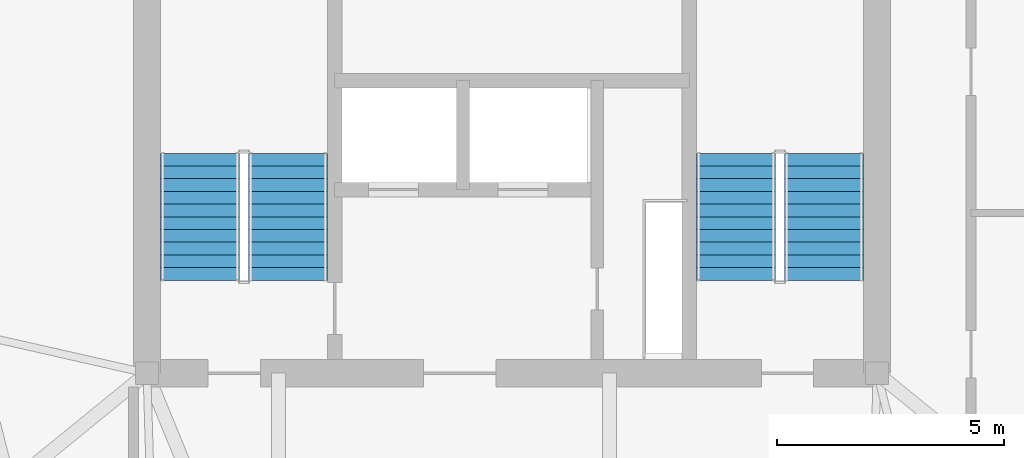
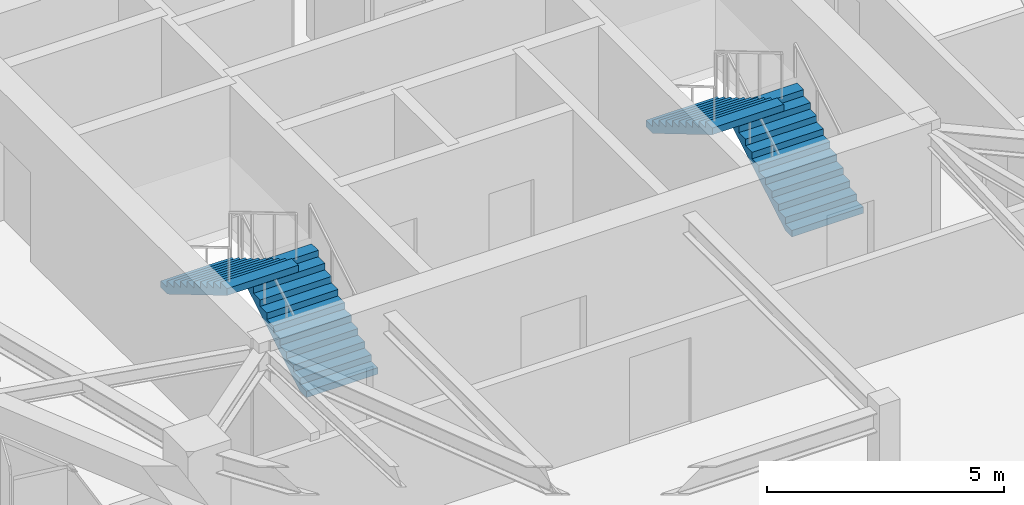
# One storey, part 10 of 11: 4 stair flights, 2 elements without a shape of their own.
"""IFC4 building model written with IfcOpenShell, lengths in metres."""

from ifc_helpers import new_model, si_unit, direction, frame, origin, place, context, subcontext, project, spatial, polyline, outline, extrude, material, type_object, element, aggregate, save


model = new_model("IFC4")

# Units and contexts
model_context = context("Model", 3, precision=1e-05, world=origin(), true_north=direction((0.0, 1.0)))
body_context = subcontext(model_context, "Body", "Model", "MODEL_VIEW")
ifc_project = project(units=[si_unit("LENGTHUNIT", "METRE"), si_unit("AREAUNIT", "SQUARE_METRE"), si_unit("VOLUMEUNIT", "CUBIC_METRE"), si_unit("PLANEANGLEUNIT", "RADIAN"), si_unit("MASSUNIT", "GRAM", prefix="KILO")], contexts=[model_context])

# Site, building, storey
site_placement = place(None, origin())
site = spatial("IfcSite", under=ifc_project, at=site_placement, CompositionType="ELEMENT")
building_placement = place(site_placement, origin())
building = spatial("IfcBuilding", under=site, at=building_placement, Name="Talyreon Biosciences Tower", CompositionType="ELEMENT")
storey_placement = place(building_placement, frame((0.0, 0.0, 283.800048828125)))
storey = spatial("IfcBuildingStorey", under=building, at=storey_placement, Name="L75", CompositionType="ELEMENT", Elevation=283.800048828125)

# Stair, stair flights
ifc_material = material(Name="Concrete C40/50", Category="concrete")
stair_type = type_object("IfcStairType", Name="DoglegEscapeStair_3650", PredefinedType="HALF_TURN_STAIR", material=ifc_material)
stair_1_placement = place(storey_placement, origin())
stair_1 = element("IfcStair", 1, at=stair_1_placement, inside=storey, type_object=stair_type, Name="L75 Core Escape Stair 1", PredefinedType="HALF_TURN_STAIR")
stair_flight_type = type_object("IfcStairFlightType", Name="PrecastStairFlight_3650", PredefinedType="STRAIGHT", material=ifc_material)
stair_flight_1_placement = place(storey_placement, frame((61.06005859375, 63.39990234375, 0.0), z_axis=(0.0, 0.0, 1.0), x_axis=(0.0, 1.0, 0.0)))
stair_flight_1 = element("IfcStairFlight", 2, at=stair_flight_1_placement, type_object=stair_flight_type, Name="ST-1 flight 1", NumberOfRisers=11, NumberOfTreads=10, PredefinedType="STRAIGHT", RiserHeight=0.165909091, TreadLength=0.28, context=body_context, shape_type="SweptSolid", body=[
    extrude(outline(polyline([(0.0, 0.0), (0.0, 0.166015625), (0.280029296875, 0.166015625), (0.280029296875, 0.331787109375), (0.56005859375, 0.331787109375), (0.56005859375, 0.497802734375), (0.840087890625, 0.497802734375), (0.840087890625, 0.66357421875), (1.1201171875, 0.66357421875), (1.1201171875, 0.82958984375), (1.39990234375, 0.82958984375), (1.39990234375, 0.995361328125), (1.679931640625, 0.995361328125), (1.679931640625, 1.161376953125), (1.9599609375, 1.161376953125), (1.9599609375, 1.327392578125), (2.239990234375, 1.327392578125), (2.239990234375, 1.4931640625), (2.52001953125, 1.4931640625), (2.52001953125, 1.6591796875), (2.800048828125, 1.6591796875), (2.800048828125, 1.824951171875), (2.800048828125, 1.48486328125), (0.2939453125, 0.0), (0.0, 0.0)])), frame((0.0, 0.8701171875, 0.0), z_axis=(0.0, -1.0, 0.0), x_axis=(1.0, 0.0, 0.0)), (0.0, 0.0, 1.0), 1.739990234375),
])
stair_flight_2_placement = place(storey_placement, frame((59.1201171875, 66.199951171875, 1.824951171875), z_axis=(0.0, 0.0, 1.0), x_axis=(0.0, -1.0, 0.0)))
stair_flight_2 = element("IfcStairFlight", 3, at=stair_flight_2_placement, type_object=stair_flight_type, Name="ST-1 flight 2", NumberOfRisers=11, NumberOfTreads=10, PredefinedType="STRAIGHT", RiserHeight=0.165909091, TreadLength=0.28, context=body_context, shape_type="SweptSolid", body=[
    extrude(outline(polyline([(0.0, 0.0), (0.0, 0.166015625), (0.280029296875, 0.166015625), (0.280029296875, 0.331787109375), (0.56005859375, 0.331787109375), (0.56005859375, 0.497802734375), (0.840087890625, 0.497802734375), (0.840087890625, 0.66357421875), (1.1201171875, 0.66357421875), (1.1201171875, 0.82958984375), (1.39990234375, 0.82958984375), (1.39990234375, 0.995361328125), (1.679931640625, 0.995361328125), (1.679931640625, 1.161376953125), (1.9599609375, 1.161376953125), (1.9599609375, 1.327392578125), (2.239990234375, 1.327392578125), (2.239990234375, 1.4931640625), (2.52001953125, 1.4931640625), (2.52001953125, 1.6591796875), (2.800048828125, 1.6591796875), (2.800048828125, 1.824951171875), (2.800048828125, 1.48486328125), (0.2939453125, 0.0), (0.0, 0.0)])), frame((0.0, 0.8701171875, 0.0), z_axis=(0.0, -1.0, 0.0), x_axis=(1.0, 0.0, 0.0)), (0.0, 0.0, 1.0), 1.739990234375),
])
aggregate(stair_1, [stair_flight_1, stair_flight_2])

stair_2_placement = place(storey_placement, origin())
stair_2 = element("IfcStair", 4, at=stair_2_placement, inside=storey, type_object=stair_type, Name="L75 Core Escape Stair 2", PredefinedType="HALF_TURN_STAIR")
stair_flight_3_placement = place(storey_placement, frame((72.8798828125, 63.39990234375, 0.0), z_axis=(0.0, 0.0, 1.0), x_axis=(0.0, 1.0, 0.0)))
stair_flight_3 = element("IfcStairFlight", 5, at=stair_flight_3_placement, type_object=stair_flight_type, Name="ST-2 flight 1", NumberOfRisers=11, NumberOfTreads=10, PredefinedType="STRAIGHT", RiserHeight=0.165909091, TreadLength=0.28, context=body_context, shape_type="SweptSolid", body=[
    extrude(outline(polyline([(0.0, 0.0), (0.0, 0.166015625), (0.280029296875, 0.166015625), (0.280029296875, 0.331787109375), (0.56005859375, 0.331787109375), (0.56005859375, 0.497802734375), (0.840087890625, 0.497802734375), (0.840087890625, 0.66357421875), (1.1201171875, 0.66357421875), (1.1201171875, 0.82958984375), (1.39990234375, 0.82958984375), (1.39990234375, 0.995361328125), (1.679931640625, 0.995361328125), (1.679931640625, 1.161376953125), (1.9599609375, 1.161376953125), (1.9599609375, 1.327392578125), (2.239990234375, 1.327392578125), (2.239990234375, 1.4931640625), (2.52001953125, 1.4931640625), (2.52001953125, 1.6591796875), (2.800048828125, 1.6591796875), (2.800048828125, 1.824951171875), (2.800048828125, 1.48486328125), (0.2939453125, 0.0), (0.0, 0.0)])), frame((0.0, 0.8701171875, 0.0), z_axis=(0.0, -1.0, 0.0), x_axis=(1.0, 0.0, 0.0)), (0.0, 0.0, 1.0), 1.739990234375),
])
stair_flight_4_placement = place(storey_placement, frame((70.93994140625, 66.199951171875, 1.824951171875), z_axis=(0.0, 0.0, 1.0), x_axis=(0.0, -1.0, 0.0)))
stair_flight_4 = element("IfcStairFlight", 6, at=stair_flight_4_placement, type_object=stair_flight_type, Name="ST-2 flight 2", NumberOfRisers=11, NumberOfTreads=10, PredefinedType="STRAIGHT", RiserHeight=0.165909091, TreadLength=0.28, context=body_context, shape_type="SweptSolid", body=[
    extrude(outline(polyline([(0.0, 0.0), (0.0, 0.166015625), (0.280029296875, 0.166015625), (0.280029296875, 0.331787109375), (0.56005859375, 0.331787109375), (0.56005859375, 0.497802734375), (0.840087890625, 0.497802734375), (0.840087890625, 0.66357421875), (1.1201171875, 0.66357421875), (1.1201171875, 0.82958984375), (1.39990234375, 0.82958984375), (1.39990234375, 0.995361328125), (1.679931640625, 0.995361328125), (1.679931640625, 1.161376953125), (1.9599609375, 1.161376953125), (1.9599609375, 1.327392578125), (2.239990234375, 1.327392578125), (2.239990234375, 1.4931640625), (2.52001953125, 1.4931640625), (2.52001953125, 1.6591796875), (2.800048828125, 1.6591796875), (2.800048828125, 1.824951171875), (2.800048828125, 1.48486328125), (0.2939453125, 0.0), (0.0, 0.0)])), frame((0.0, 0.8701171875, 0.0), z_axis=(0.0, -1.0, 0.0), x_axis=(1.0, 0.0, 0.0)), (0.0, 0.0, 1.0), 1.739990234375),
])
aggregate(stair_2, [stair_flight_3, stair_flight_4])

save(model, "model.ifc")
